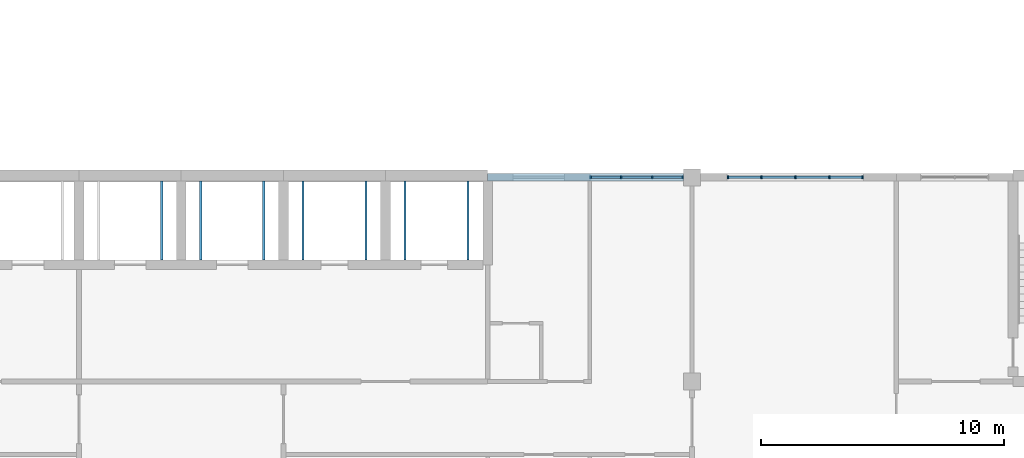
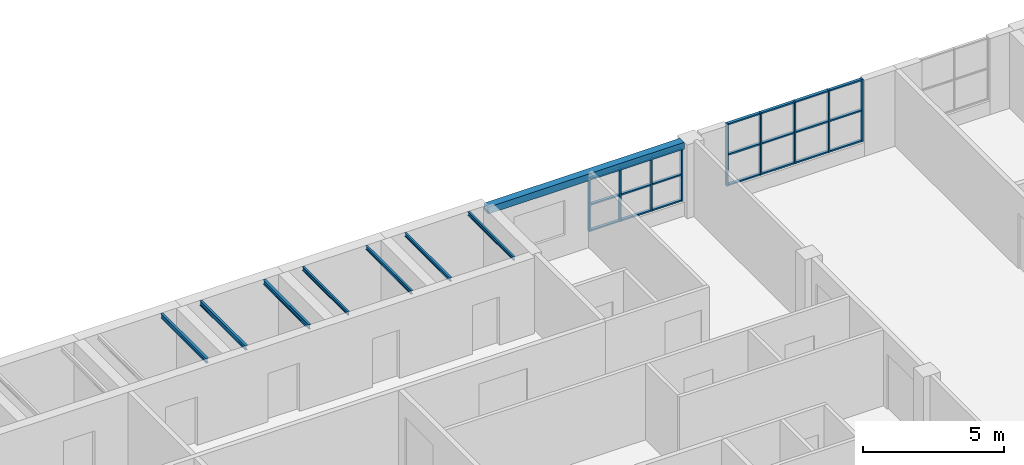
# One storey, part 19 of 48: 30 members, 8 beams, 2 elements without a shape of their own.
"""IFC4 building model written with IfcOpenShell, lengths in metres."""

from ifc_helpers import new_model, si_unit, direction, frame, origin, origin_2d, place, context, subcontext, project, spatial, rectangle, i_section, extrude, material, material_profile, profile_set, type_object, element, aggregate, save


model = new_model("IFC4")

# Units and contexts
model_context = context("Model", 3, precision=1e-05, world=origin(), true_north=direction((0.0, 1.0)))
body_context = subcontext(model_context, "Body", "Model", "MODEL_VIEW")
ifc_project = project(units=[si_unit("LENGTHUNIT", "METRE"), si_unit("AREAUNIT", "SQUARE_METRE"), si_unit("VOLUMEUNIT", "CUBIC_METRE"), si_unit("PLANEANGLEUNIT", "RADIAN"), si_unit("MASSUNIT", "GRAM", prefix="KILO")], contexts=[model_context])

# Site, building, storey
site_placement = place(None, origin())
site = spatial("IfcSite", under=ifc_project, at=site_placement, CompositionType="ELEMENT")
building_placement = place(site_placement, origin())
building = spatial("IfcBuilding", under=site, at=building_placement, Name="Yavir Park General Hospital", CompositionType="ELEMENT")
storey_placement = place(building_placement, frame((0.0, 0.0, 26.10009765625)))
storey = spatial("IfcBuildingStorey", under=building, at=storey_placement, Name="L06", CompositionType="ELEMENT", Elevation=26.10009765625)

# Curtain wall, members
ifc_material_1 = material(Name="Aluminium curtain wall frame with insulated glazing", Category="aluminium")
curtain_wall_type_1 = type_object("IfcCurtainWallType", Name="Day room pocket glazing, ward floors, 2300 high, 1400 module", PredefinedType="NOTDEFINED", material=ifc_material_1)
curtain_wall_1_placement = place(storey_placement, origin())
curtain_wall_1 = element("IfcCurtainWall", 1, at=curtain_wall_1_placement, inside=storey, type_object=curtain_wall_type_1, Name="CW63 L06-012", PredefinedType="NOTDEFINED")
ifc_material_2 = material(Name="Aluminium", Category="aluminium")
ifc_material_profile_1 = material_profile(ifc_material_2, rectangle(XDim=0.139892578125, YDim=0.06005859375, at=origin_2d()), Name="AL 60x140")
ifc_profile_set_1 = profile_set([ifc_material_profile_1], Name="Aluminium")
member_type_1 = type_object("IfcMemberType", Name="Day room pocket glazing, ward floors, 2300 high mullion 60 x 140", PredefinedType="MULLION", material=ifc_profile_set_1)
member_1_placement = place(storey_placement, frame((147.030029296875, 25.199951171875, 0.599853515625), z_axis=(0.0, 0.0, 1.0), x_axis=(0.0, 1.0, 0.0)))
member_1 = element("IfcMember", 2, at=member_1_placement, type_object=member_type_1, Name="CW63 mullion 1", PredefinedType="MULLION", context=body_context, shape_type="SweptSolid", body=[
    extrude(rectangle(XDim=0.139892578125, YDim=0.06005859375, at=origin_2d()), origin(), (0.0, 0.0, 1.0), 2.300048828125),
])
member_2_placement = place(storey_placement, frame((148.283447265625, 25.199951171875, 0.599853515625), z_axis=(0.0, 0.0, 1.0), x_axis=(0.0, 1.0, 0.0)))
member_2 = element("IfcMember", 3, at=member_2_placement, type_object=member_type_1, Name="CW63 mullion 2", PredefinedType="MULLION", context=body_context, shape_type="SweptSolid", body=[
    extrude(rectangle(XDim=0.139892578125, YDim=0.06005859375, at=origin_2d()), origin(), (0.0, 0.0, 1.0), 2.300048828125),
])
member_3_placement = place(storey_placement, frame((149.566650390625, 25.199951171875, 0.599853515625), z_axis=(0.0, 0.0, 1.0), x_axis=(0.0, 1.0, 0.0)))
member_3 = element("IfcMember", 4, at=member_3_placement, type_object=member_type_1, Name="CW63 mullion 3", PredefinedType="MULLION", context=body_context, shape_type="SweptSolid", body=[
    extrude(rectangle(XDim=0.139892578125, YDim=0.06005859375, at=origin_2d()), origin(), (0.0, 0.0, 1.0), 2.300048828125),
])
member_4_placement = place(storey_placement, frame((150.820068359375, 25.199951171875, 0.599853515625), z_axis=(0.0, 0.0, 1.0), x_axis=(0.0, 1.0, 0.0)))
member_4 = element("IfcMember", 5, at=member_4_placement, type_object=member_type_1, Name="CW63 mullion 4", PredefinedType="MULLION", context=body_context, shape_type="SweptSolid", body=[
    extrude(rectangle(XDim=0.139892578125, YDim=0.06005859375, at=origin_2d()), origin(), (0.0, 0.0, 1.0), 2.300048828125),
])
ifc_material_3 = material(Name="Aluminium", Category="aluminium")
ifc_material_profile_2 = material_profile(ifc_material_3, rectangle(XDim=0.1201171875, YDim=0.06005859375, at=origin_2d()), Name="AL 120x60")
ifc_profile_set_2 = profile_set([ifc_material_profile_2], Name="Aluminium")
member_type_2 = type_object("IfcMemberType", Name="Day room pocket glazing, ward floors, 2300 high transom 60 x 120", PredefinedType="MULLION", material=ifc_profile_set_2)
member_5_placement = place(storey_placement, frame((147.06005859375, 25.199951171875, 0.6298828125), z_axis=(1.0, 0.0, 0.0), x_axis=(0.0, 1.0, 0.0)))
member_5 = element("IfcMember", 6, at=member_5_placement, type_object=member_type_2, Name="CW63 transom 1.1", PredefinedType="MULLION", context=body_context, shape_type="SweptSolid", body=[
    extrude(rectangle(XDim=0.1201171875, YDim=0.06005859375, at=origin_2d()), origin(), (0.0, 0.0, 1.0), 1.193359375),
])
member_6_placement = place(storey_placement, frame((147.06005859375, 25.199951171875, 1.75), z_axis=(1.0, 0.0, 0.0), x_axis=(0.0, 1.0, 0.0)))
member_6 = element("IfcMember", 7, at=member_6_placement, type_object=member_type_2, Name="CW63 transom 1.2", PredefinedType="MULLION", context=body_context, shape_type="SweptSolid", body=[
    extrude(rectangle(XDim=0.1201171875, YDim=0.06005859375, at=origin_2d()), origin(), (0.0, 0.0, 1.0), 1.193359375),
])
member_7_placement = place(storey_placement, frame((147.06005859375, 25.199951171875, 2.869873046875), z_axis=(1.0, 0.0, 0.0), x_axis=(0.0, 1.0, 0.0)))
member_7 = element("IfcMember", 8, at=member_7_placement, type_object=member_type_2, Name="CW63 transom 1.3", PredefinedType="MULLION", context=body_context, shape_type="SweptSolid", body=[
    extrude(rectangle(XDim=0.1201171875, YDim=0.06005859375, at=origin_2d()), origin(), (0.0, 0.0, 1.0), 1.193359375),
])
member_8_placement = place(storey_placement, frame((148.313232421875, 25.199951171875, 0.6298828125), z_axis=(1.0, 0.0, 0.0), x_axis=(0.0, 1.0, 0.0)))
member_8 = element("IfcMember", 9, at=member_8_placement, type_object=member_type_2, Name="CW63 transom 2.1", PredefinedType="MULLION", context=body_context, shape_type="SweptSolid", body=[
    extrude(rectangle(XDim=0.1201171875, YDim=0.06005859375, at=origin_2d()), origin(), (0.0, 0.0, 1.0), 1.223388671875),
])
member_9_placement = place(storey_placement, frame((148.313232421875, 25.199951171875, 1.75), z_axis=(1.0, 0.0, 0.0), x_axis=(0.0, 1.0, 0.0)))
member_9 = element("IfcMember", 10, at=member_9_placement, type_object=member_type_2, Name="CW63 transom 2.2", PredefinedType="MULLION", context=body_context, shape_type="SweptSolid", body=[
    extrude(rectangle(XDim=0.1201171875, YDim=0.06005859375, at=origin_2d()), origin(), (0.0, 0.0, 1.0), 1.223388671875),
])
member_10_placement = place(storey_placement, frame((148.313232421875, 25.199951171875, 2.869873046875), z_axis=(1.0, 0.0, 0.0), x_axis=(0.0, 1.0, 0.0)))
member_10 = element("IfcMember", 11, at=member_10_placement, type_object=member_type_2, Name="CW63 transom 2.3", PredefinedType="MULLION", context=body_context, shape_type="SweptSolid", body=[
    extrude(rectangle(XDim=0.1201171875, YDim=0.06005859375, at=origin_2d()), origin(), (0.0, 0.0, 1.0), 1.223388671875),
])
member_11_placement = place(storey_placement, frame((149.5966796875, 25.199951171875, 0.6298828125), z_axis=(1.0, 0.0, 0.0), x_axis=(0.0, 1.0, 0.0)))
member_11 = element("IfcMember", 12, at=member_11_placement, type_object=member_type_2, Name="CW63 transom 3.1", PredefinedType="MULLION", context=body_context, shape_type="SweptSolid", body=[
    extrude(rectangle(XDim=0.1201171875, YDim=0.06005859375, at=origin_2d()), origin(), (0.0, 0.0, 1.0), 1.193359375),
])
member_12_placement = place(storey_placement, frame((149.5966796875, 25.199951171875, 1.75), z_axis=(1.0, 0.0, 0.0), x_axis=(0.0, 1.0, 0.0)))
member_12 = element("IfcMember", 13, at=member_12_placement, type_object=member_type_2, Name="CW63 transom 3.2", PredefinedType="MULLION", context=body_context, shape_type="SweptSolid", body=[
    extrude(rectangle(XDim=0.1201171875, YDim=0.06005859375, at=origin_2d()), origin(), (0.0, 0.0, 1.0), 1.193359375),
])
member_13_placement = place(storey_placement, frame((149.5966796875, 25.199951171875, 2.869873046875), z_axis=(1.0, 0.0, 0.0), x_axis=(0.0, 1.0, 0.0)))
member_13 = element("IfcMember", 14, at=member_13_placement, type_object=member_type_2, Name="CW63 transom 3.3", PredefinedType="MULLION", context=body_context, shape_type="SweptSolid", body=[
    extrude(rectangle(XDim=0.1201171875, YDim=0.06005859375, at=origin_2d()), origin(), (0.0, 0.0, 1.0), 1.193359375),
])
aggregate(curtain_wall_1, [member_1, member_2, member_3, member_4, member_5, member_6, member_7, member_8, member_9, member_10, member_11, member_12, member_13])

ifc_material_4 = material(Name="Aluminium curtain wall frame with insulated glazing", Category="aluminium")
curtain_wall_type_2 = type_object("IfcCurtainWallType", Name="Day room pocket glazing, ward floors, 2700 high, 1400 module", PredefinedType="NOTDEFINED", material=ifc_material_4)
curtain_wall_2_placement = place(storey_placement, origin())
curtain_wall_2 = element("IfcCurtainWall", 15, at=curtain_wall_2_placement, inside=storey, type_object=curtain_wall_type_2, Name="CW65 L06-013", PredefinedType="NOTDEFINED")
ifc_material_5 = material(Name="Aluminium", Category="aluminium")
ifc_material_profile_3 = material_profile(ifc_material_5, rectangle(XDim=0.139892578125, YDim=0.06005859375, at=origin_2d()), Name="AL 60x140")
ifc_profile_set_3 = profile_set([ifc_material_profile_3], Name="Aluminium")
member_type_3 = type_object("IfcMemberType", Name="Day room pocket glazing, ward floors, 2700 high mullion 60 x 140", PredefinedType="MULLION", material=ifc_profile_set_3)
member_14_placement = place(storey_placement, frame((152.679931640625, 25.199951171875, 0.599853515625), z_axis=(0.0, 0.0, 1.0), x_axis=(0.0, 1.0, 0.0)))
member_14 = element("IfcMember", 16, at=member_14_placement, type_object=member_type_3, Name="CW65 mullion 1", PredefinedType="MULLION", context=body_context, shape_type="SweptSolid", body=[
    extrude(rectangle(XDim=0.139892578125, YDim=0.06005859375, at=origin_2d()), origin(), (0.0, 0.0, 1.0), 2.699951171875),
])
member_15_placement = place(storey_placement, frame((154.050048828125, 25.199951171875, 0.599853515625), z_axis=(0.0, 0.0, 1.0), x_axis=(0.0, 1.0, 0.0)))
member_15 = element("IfcMember", 17, at=member_15_placement, type_object=member_type_3, Name="CW65 mullion 2", PredefinedType="MULLION", context=body_context, shape_type="SweptSolid", body=[
    extrude(rectangle(XDim=0.139892578125, YDim=0.06005859375, at=origin_2d()), origin(), (0.0, 0.0, 1.0), 2.699951171875),
])
member_16_placement = place(storey_placement, frame((155.449951171875, 25.199951171875, 0.599853515625), z_axis=(0.0, 0.0, 1.0), x_axis=(0.0, 1.0, 0.0)))
member_16 = element("IfcMember", 18, at=member_16_placement, type_object=member_type_3, Name="CW65 mullion 3", PredefinedType="MULLION", context=body_context, shape_type="SweptSolid", body=[
    extrude(rectangle(XDim=0.139892578125, YDim=0.06005859375, at=origin_2d()), origin(), (0.0, 0.0, 1.0), 2.699951171875),
])
member_17_placement = place(storey_placement, frame((156.85009765625, 25.199951171875, 0.599853515625), z_axis=(0.0, 0.0, 1.0), x_axis=(0.0, 1.0, 0.0)))
member_17 = element("IfcMember", 19, at=member_17_placement, type_object=member_type_3, Name="CW65 mullion 4", PredefinedType="MULLION", context=body_context, shape_type="SweptSolid", body=[
    extrude(rectangle(XDim=0.139892578125, YDim=0.06005859375, at=origin_2d()), origin(), (0.0, 0.0, 1.0), 2.699951171875),
])
member_18_placement = place(storey_placement, frame((158.219970703125, 25.199951171875, 0.599853515625), z_axis=(0.0, 0.0, 1.0), x_axis=(0.0, 1.0, 0.0)))
member_18 = element("IfcMember", 20, at=member_18_placement, type_object=member_type_3, Name="CW65 mullion 5", PredefinedType="MULLION", context=body_context, shape_type="SweptSolid", body=[
    extrude(rectangle(XDim=0.139892578125, YDim=0.06005859375, at=origin_2d()), origin(), (0.0, 0.0, 1.0), 2.699951171875),
])
ifc_material_6 = material(Name="Aluminium", Category="aluminium")
ifc_material_profile_4 = material_profile(ifc_material_6, rectangle(XDim=0.1201171875, YDim=0.06005859375, at=origin_2d()), Name="AL 120x60")
ifc_profile_set_4 = profile_set([ifc_material_profile_4], Name="Aluminium")
member_type_4 = type_object("IfcMemberType", Name="Day room pocket glazing, ward floors, 2700 high transom 60 x 120", PredefinedType="MULLION", material=ifc_profile_set_4)
member_19_placement = place(storey_placement, frame((152.7099609375, 25.199951171875, 0.6298828125), z_axis=(1.0, 0.0, 0.0), x_axis=(0.0, 1.0, 0.0)))
member_19 = element("IfcMember", 21, at=member_19_placement, type_object=member_type_4, Name="CW65 transom 1.1", PredefinedType="MULLION", context=body_context, shape_type="SweptSolid", body=[
    extrude(rectangle(XDim=0.1201171875, YDim=0.06005859375, at=origin_2d()), origin(), (0.0, 0.0, 1.0), 1.31005859375),
])
member_20_placement = place(storey_placement, frame((152.7099609375, 25.199951171875, 1.949951171875), z_axis=(1.0, 0.0, 0.0), x_axis=(0.0, 1.0, 0.0)))
member_20 = element("IfcMember", 22, at=member_20_placement, type_object=member_type_4, Name="CW65 transom 1.2", PredefinedType="MULLION", context=body_context, shape_type="SweptSolid", body=[
    extrude(rectangle(XDim=0.1201171875, YDim=0.06005859375, at=origin_2d()), origin(), (0.0, 0.0, 1.0), 1.31005859375),
])
member_21_placement = place(storey_placement, frame((152.7099609375, 25.199951171875, 3.27001953125), z_axis=(1.0, 0.0, 0.0), x_axis=(0.0, 1.0, 0.0)))
member_21 = element("IfcMember", 23, at=member_21_placement, type_object=member_type_4, Name="CW65 transom 1.3", PredefinedType="MULLION", context=body_context, shape_type="SweptSolid", body=[
    extrude(rectangle(XDim=0.1201171875, YDim=0.06005859375, at=origin_2d()), origin(), (0.0, 0.0, 1.0), 1.31005859375),
])
member_22_placement = place(storey_placement, frame((154.080078125, 25.199951171875, 0.6298828125), z_axis=(1.0, 0.0, 0.0), x_axis=(0.0, 1.0, 0.0)))
member_22 = element("IfcMember", 24, at=member_22_placement, type_object=member_type_4, Name="CW65 transom 2.1", PredefinedType="MULLION", context=body_context, shape_type="SweptSolid", body=[
    extrude(rectangle(XDim=0.1201171875, YDim=0.06005859375, at=origin_2d()), origin(), (0.0, 0.0, 1.0), 1.33984375),
])
member_23_placement = place(storey_placement, frame((154.080078125, 25.199951171875, 1.949951171875), z_axis=(1.0, 0.0, 0.0), x_axis=(0.0, 1.0, 0.0)))
member_23 = element("IfcMember", 25, at=member_23_placement, type_object=member_type_4, Name="CW65 transom 2.2", PredefinedType="MULLION", context=body_context, shape_type="SweptSolid", body=[
    extrude(rectangle(XDim=0.1201171875, YDim=0.06005859375, at=origin_2d()), origin(), (0.0, 0.0, 1.0), 1.33984375),
])
member_24_placement = place(storey_placement, frame((154.080078125, 25.199951171875, 3.27001953125), z_axis=(1.0, 0.0, 0.0), x_axis=(0.0, 1.0, 0.0)))
member_24 = element("IfcMember", 26, at=member_24_placement, type_object=member_type_4, Name="CW65 transom 2.3", PredefinedType="MULLION", context=body_context, shape_type="SweptSolid", body=[
    extrude(rectangle(XDim=0.1201171875, YDim=0.06005859375, at=origin_2d()), origin(), (0.0, 0.0, 1.0), 1.33984375),
])
member_25_placement = place(storey_placement, frame((155.47998046875, 25.199951171875, 0.6298828125), z_axis=(1.0, 0.0, 0.0), x_axis=(0.0, 1.0, 0.0)))
member_25 = element("IfcMember", 27, at=member_25_placement, type_object=member_type_4, Name="CW65 transom 3.1", PredefinedType="MULLION", context=body_context, shape_type="SweptSolid", body=[
    extrude(rectangle(XDim=0.1201171875, YDim=0.06005859375, at=origin_2d()), origin(), (0.0, 0.0, 1.0), 1.340087890625),
])
member_26_placement = place(storey_placement, frame((155.47998046875, 25.199951171875, 1.949951171875), z_axis=(1.0, 0.0, 0.0), x_axis=(0.0, 1.0, 0.0)))
member_26 = element("IfcMember", 28, at=member_26_placement, type_object=member_type_4, Name="CW65 transom 3.2", PredefinedType="MULLION", context=body_context, shape_type="SweptSolid", body=[
    extrude(rectangle(XDim=0.1201171875, YDim=0.06005859375, at=origin_2d()), origin(), (0.0, 0.0, 1.0), 1.340087890625),
])
member_27_placement = place(storey_placement, frame((155.47998046875, 25.199951171875, 3.27001953125), z_axis=(1.0, 0.0, 0.0), x_axis=(0.0, 1.0, 0.0)))
member_27 = element("IfcMember", 29, at=member_27_placement, type_object=member_type_4, Name="CW65 transom 3.3", PredefinedType="MULLION", context=body_context, shape_type="SweptSolid", body=[
    extrude(rectangle(XDim=0.1201171875, YDim=0.06005859375, at=origin_2d()), origin(), (0.0, 0.0, 1.0), 1.340087890625),
])
member_28_placement = place(storey_placement, frame((156.8798828125, 25.199951171875, 0.6298828125), z_axis=(1.0, 0.0, 0.0), x_axis=(0.0, 1.0, 0.0)))
member_28 = element("IfcMember", 30, at=member_28_placement, type_object=member_type_4, Name="CW65 transom 4.1", PredefinedType="MULLION", context=body_context, shape_type="SweptSolid", body=[
    extrude(rectangle(XDim=0.1201171875, YDim=0.06005859375, at=origin_2d()), origin(), (0.0, 0.0, 1.0), 1.31005859375),
])
member_29_placement = place(storey_placement, frame((156.8798828125, 25.199951171875, 1.949951171875), z_axis=(1.0, 0.0, 0.0), x_axis=(0.0, 1.0, 0.0)))
member_29 = element("IfcMember", 31, at=member_29_placement, type_object=member_type_4, Name="CW65 transom 4.2", PredefinedType="MULLION", context=body_context, shape_type="SweptSolid", body=[
    extrude(rectangle(XDim=0.1201171875, YDim=0.06005859375, at=origin_2d()), origin(), (0.0, 0.0, 1.0), 1.31005859375),
])
member_30_placement = place(storey_placement, frame((156.8798828125, 25.199951171875, 3.27001953125), z_axis=(1.0, 0.0, 0.0), x_axis=(0.0, 1.0, 0.0)))
member_30 = element("IfcMember", 32, at=member_30_placement, type_object=member_type_4, Name="CW65 transom 4.3", PredefinedType="MULLION", context=body_context, shape_type="SweptSolid", body=[
    extrude(rectangle(XDim=0.1201171875, YDim=0.06005859375, at=origin_2d()), origin(), (0.0, 0.0, 1.0), 1.31005859375),
])
aggregate(curtain_wall_2, [member_14, member_15, member_16, member_17, member_18, member_19, member_20, member_21, member_22, member_23, member_24, member_25, member_26, member_27, member_28, member_29, member_30])

# Beams
ifc_material_7 = material(Name="Steel S355", Category="steel")
ifc_material_profile_5 = material_profile(ifc_material_7, i_section(OverallWidth=0.08203125, OverallDepth=0.159912109375, WebThickness=0.0048828125, FlangeThickness=0.00732421875, FilletRadius=0.009033203125, at=origin_2d()), Name="IPE160")
ifc_profile_set_5 = profile_set([ifc_material_profile_5], Name="Steel S355")
beam_type_1 = type_object("IfcBeamType", Name="IPE 160 lift machine beam", PredefinedType="BEAM", material=ifc_profile_set_5)
for number, where, z_axis, x_axis, name in (
    (33, (135.199951171875, 21.800048828125, 3.219970703125), (0.0, 1.0, 0.0), (-1.0, 0.0, 0.0), "B:MACH:PL4:0"),
    (34, (137.800048828125, 21.800048828125, 3.219970703125), (0.0, 1.0, 0.0), (-1.0, 0.0, 0.0), "B:MACH:PL4:1"),
    (35, (139.39990234375, 21.800048828125, 3.219970703125), (0.0, 1.0, 0.0), (-1.0, 0.0, 0.0), "B:MACH:PL5:0"),
    (36, (142.0, 21.800048828125, 3.219970703125), (0.0, 1.0, 0.0), (-1.0, 0.0, 0.0), "B:MACH:PL5:1"),
):
    element("IfcBeam", number, at=place(storey_placement, frame(where, z_axis=z_axis, x_axis=x_axis)), inside=storey, type_object=beam_type_1, Name=name, PredefinedType="BEAM", context=body_context, shape_type="SweptSolid", body=[
        extrude(i_section(OverallWidth=0.08203125, OverallDepth=0.159912109375, WebThickness=0.0048828125, FlangeThickness=0.00732421875, FilletRadius=0.009033203125, at=origin_2d()), origin(), (0.0, 0.0, 1.0), 3.25),
    ])
ifc_material_8 = material(Name="Steel S355", Category="steel")
ifc_material_profile_6 = material_profile(ifc_material_8, i_section(OverallWidth=0.10009765625, OverallDepth=0.199951171875, WebThickness=0.005615234375, FlangeThickness=0.008544921875, FilletRadius=0.011962890625, at=origin_2d()), Name="IPE200")
ifc_profile_set_6 = profile_set([ifc_material_profile_6], Name="Steel S355")
beam_type_2 = type_object("IfcBeamType", Name="IPE 200 lift machine beam", PredefinedType="BEAM", material=ifc_profile_set_6)
for number, where, z_axis, x_axis, name in (
    (37, (129.39990234375, 21.800048828125, 3.199951171875), (0.0, 1.0, 0.0), (-1.0, 0.0, 0.0), "B:MACH:BL4:1"),
    (38, (131.0, 21.800048828125, 3.199951171875), (0.0, 1.0, 0.0), (-1.0, 0.0, 0.0), "B:MACH:BL5:0"),
    (39, (133.60009765625, 21.800048828125, 3.199951171875), (0.0, 1.0, 0.0), (-1.0, 0.0, 0.0), "B:MACH:BL5:1"),
):
    element("IfcBeam", number, at=place(storey_placement, frame(where, z_axis=z_axis, x_axis=x_axis)), inside=storey, type_object=beam_type_2, Name=name, PredefinedType="BEAM", context=body_context, shape_type="SweptSolid", body=[
        extrude(i_section(OverallWidth=0.10009765625, OverallDepth=0.199951171875, WebThickness=0.005615234375, FlangeThickness=0.008544921875, FilletRadius=0.011962890625, at=origin_2d()), origin(), (0.0, 0.0, 1.0), 3.25),
    ])
ifc_material_9 = material(Name="Concrete C35/45", Category="concrete")
ifc_material_profile_7 = material_profile(ifc_material_9, rectangle(XDim=0.300048828125, YDim=0.300048828125, at=origin_2d()), Name="RC300x300")
ifc_profile_set_7 = profile_set([ifc_material_profile_7], Name="Concrete C35/45")
beam_type_3 = type_object("IfcBeamType", Name="RC BEAM 300x300 edge beam", PredefinedType="BEAM", material=ifc_profile_set_7)
beam_placement = place(storey_placement, frame((142.800048828125, 25.199951171875, 3.0498046875), z_axis=(1.0, 0.0, 0.0), x_axis=(0.0, 1.0, 0.0)))
element("IfcBeam", 40, at=beam_placement, inside=storey, type_object=beam_type_3, Name="B:EDGE:L06:014", PredefinedType="BEAM", context=body_context, shape_type="SweptSolid", body=[
    extrude(rectangle(XDim=0.300048828125, YDim=0.300048828125, at=origin_2d()), origin(), (0.0, 0.0, 1.0), 8.050048828125),
])

save(model, "model.ifc")
